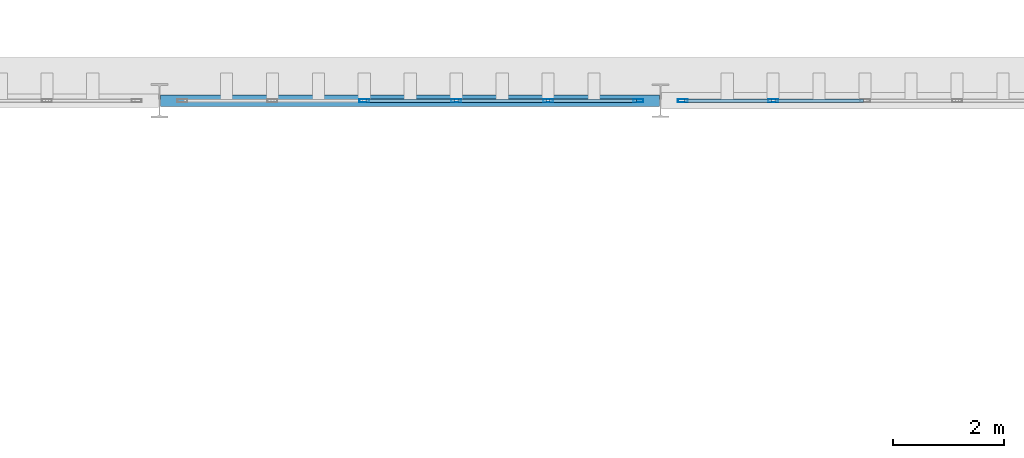
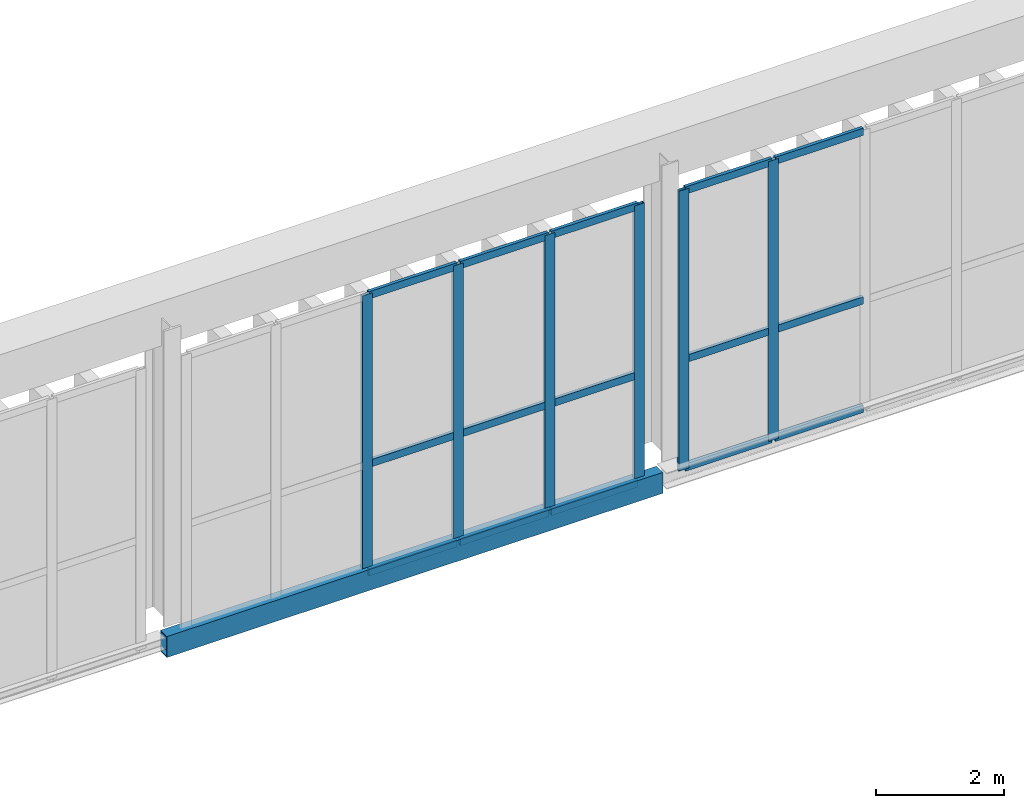
# One storey, part 176 of 237: 21 members, 1 beam, 2 elements without a shape of their own.
"""IFC4 building model written with IfcOpenShell, lengths in metres."""

from ifc_helpers import new_model, si_unit, direction, frame, origin, origin_2d, place, context, subcontext, project, spatial, hollow_rectangle, extrude, material, layer, layer_set, material_profile, profile_set, type_object, element, aggregate, save


model = new_model("IFC4")

# Units and contexts
model_context = context("Model", 3, precision=1e-05, world=origin(), true_north=direction((0.0, 1.0)))
body_context = subcontext(model_context, "Body", "Model", "MODEL_VIEW")
ifc_project = project(units=[si_unit("LENGTHUNIT", "METRE"), si_unit("AREAUNIT", "SQUARE_METRE"), si_unit("VOLUMEUNIT", "CUBIC_METRE"), si_unit("PLANEANGLEUNIT", "RADIAN"), si_unit("MASSUNIT", "GRAM", prefix="KILO")], contexts=[model_context])

# Site, building, storey
site_placement = place(None, origin())
site = spatial("IfcSite", under=ifc_project, at=site_placement, CompositionType="ELEMENT")
building_placement = place(site_placement, origin())
building = spatial("IfcBuilding", under=site, at=building_placement, Name="Barlavento Convention Centre", CompositionType="ELEMENT")
storey_placement = place(building_placement, frame((0.0, 0.0, 12.0)))
storey = spatial("IfcBuildingStorey", under=building, at=storey_placement, Name="L02", CompositionType="ELEMENT", Elevation=12.0)

# Curtain wall, members
ifc_material_1 = material(Name="Powder-coated aluminium and Low-E glass", Category="aluminium")
ifc_layer = layer(ifc_material_1, 0.18505859375)
ifc_layer_set = layer_set([ifc_layer], Name="ARC-CW-EXH-L02")
curtain_wall_type = type_object("IfcCurtainWallType", Name="ARC-CW-EXH-L02", PredefinedType="NOTDEFINED", material=ifc_layer_set)
curtain_wall_1_placement = place(storey_placement, origin())
curtain_wall_1 = element("IfcCurtainWall", 1, at=curtain_wall_1_placement, inside=storey, type_object=curtain_wall_type, Name="L02 unitised curtain wall CW05", PredefinedType="NOTDEFINED")
ifc_material_2 = material(Name="Powder-coated aluminium", Category="aluminium")
ifc_material_profile_1 = material_profile(ifc_material_2, hollow_rectangle(XDim=0.06005859375, YDim=0.179931640625, WallThickness=0.0048828125, at=origin_2d()), Name="AL-MULL 60x180x5")
ifc_profile_set_1 = profile_set([ifc_material_profile_1], Name="Powder-coated aluminium")
member_type_1 = type_object("IfcMemberType", Name="ARC-CWM-60X180", PredefinedType="MULLION", material=ifc_profile_set_1)
member_1_placement = place(storey_placement, frame((93.679931640625, 135.0, -0.5), z_axis=(0.0, 0.0, 1.0), x_axis=(0.0, 1.0, 0.0)))
member_1 = element("IfcMember", 2, at=member_1_placement, type_object=member_type_1, Name="CW05 mullion 3", PredefinedType="MULLION", context=body_context, shape_type="SweptSolid", body=[
    extrude(hollow_rectangle(XDim=0.06005859375, YDim=0.179931640625, WallThickness=0.0048828125, at=origin_2d()), origin(), (0.0, 0.0, 1.0), 5.35009765625),
])
member_2_placement = place(storey_placement, frame((95.330078125, 135.0, -0.5), z_axis=(0.0, 0.0, 1.0), x_axis=(0.0, 1.0, 0.0)))
member_2 = element("IfcMember", 3, at=member_2_placement, type_object=member_type_1, Name="CW05 mullion 4", PredefinedType="MULLION", context=body_context, shape_type="SweptSolid", body=[
    extrude(hollow_rectangle(XDim=0.06005859375, YDim=0.179931640625, WallThickness=0.0048828125, at=origin_2d()), origin(), (0.0, 0.0, 1.0), 5.35009765625),
])
member_3_placement = place(storey_placement, frame((96.97998046875, 135.0, -0.5), z_axis=(0.0, 0.0, 1.0), x_axis=(0.0, 1.0, 0.0)))
member_3 = element("IfcMember", 4, at=member_3_placement, type_object=member_type_1, Name="CW05 mullion 5", PredefinedType="MULLION", context=body_context, shape_type="SweptSolid", body=[
    extrude(hollow_rectangle(XDim=0.06005859375, YDim=0.179931640625, WallThickness=0.0048828125, at=origin_2d()), origin(), (0.0, 0.0, 1.0), 5.35009765625),
])
member_4_placement = place(storey_placement, frame((98.60009765625, 135.0, -0.5), z_axis=(0.0, 0.0, 1.0), x_axis=(0.0, 1.0, 0.0)))
member_4 = element("IfcMember", 5, at=member_4_placement, type_object=member_type_1, Name="CW05 mullion 6", PredefinedType="MULLION", context=body_context, shape_type="SweptSolid", body=[
    extrude(hollow_rectangle(XDim=0.06005859375, YDim=0.179931640625, WallThickness=0.0048828125, at=origin_2d()), origin(), (0.0, 0.0, 1.0), 5.35009765625),
])

curtain_wall_2_placement = place(storey_placement, origin())
curtain_wall_2 = element("IfcCurtainWall", 6, at=curtain_wall_2_placement, inside=storey, type_object=curtain_wall_type, Name="L02 unitised curtain wall CW05", PredefinedType="NOTDEFINED")
member_5_placement = place(storey_placement, frame((99.39990234375, 135.0, -0.5), z_axis=(0.0, 0.0, 1.0), x_axis=(0.0, 1.0, 0.0)))
member_5 = element("IfcMember", 7, at=member_5_placement, type_object=member_type_1, Name="CW05 mullion 1", PredefinedType="MULLION", context=body_context, shape_type="SweptSolid", body=[
    extrude(hollow_rectangle(XDim=0.06005859375, YDim=0.179931640625, WallThickness=0.0048828125, at=origin_2d()), origin(), (0.0, 0.0, 1.0), 5.35009765625),
])
member_6_placement = place(storey_placement, frame((101.02197265625, 135.0, -0.5), z_axis=(0.0, 0.0, 1.0), x_axis=(0.0, 1.0, 0.0)))
member_6 = element("IfcMember", 8, at=member_6_placement, type_object=member_type_1, Name="CW05 mullion 2", PredefinedType="MULLION", context=body_context, shape_type="SweptSolid", body=[
    extrude(hollow_rectangle(XDim=0.06005859375, YDim=0.179931640625, WallThickness=0.0048828125, at=origin_2d()), origin(), (0.0, 0.0, 1.0), 5.35009765625),
])

# Member
ifc_material_profile_2 = material_profile(ifc_material_2, hollow_rectangle(XDim=0.06005859375, YDim=0.139892578125, WallThickness=0.00390625, at=origin_2d()), Name="AL-TRAN 60x140x4")
ifc_profile_set_2 = profile_set([ifc_material_profile_2], Name="Powder-coated aluminium")
member_type_2 = type_object("IfcMemberType", Name="ARC-CWT-60X140", PredefinedType="USERDEFINED", material=ifc_profile_set_2)
member_7_placement = place(storey_placement, frame((93.7099609375, 135.0, -0.469970703125), z_axis=(1.0, 0.0, 0.0), x_axis=(0.0, 1.0, 0.0)))
member_7 = element("IfcMember", 9, at=member_7_placement, type_object=member_type_2, Name="CW05 transom 3.1", ObjectType="TRANSOM", PredefinedType="USERDEFINED", context=body_context, shape_type="SweptSolid", body=[
    extrude(hollow_rectangle(XDim=0.06005859375, YDim=0.139892578125, WallThickness=0.00390625, at=origin_2d()), origin(), (0.0, 0.0, 1.0), 1.590087890625),
])

member_8_placement = place(storey_placement, frame((93.7099609375, 135.0, 1.60009765625), z_axis=(1.0, 0.0, 0.0), x_axis=(0.0, 1.0, 0.0)))
member_8 = element("IfcMember", 10, at=member_8_placement, type_object=member_type_2, Name="CW05 transom 3.2", ObjectType="TRANSOM", PredefinedType="USERDEFINED", context=body_context, shape_type="SweptSolid", body=[
    extrude(hollow_rectangle(XDim=0.06005859375, YDim=0.139892578125, WallThickness=0.00390625, at=origin_2d()), origin(), (0.0, 0.0, 1.0), 1.590087890625),
])

member_9_placement = place(storey_placement, frame((93.7099609375, 135.0, 4.820068359375), z_axis=(1.0, 0.0, 0.0), x_axis=(0.0, 1.0, 0.0)))
member_9 = element("IfcMember", 11, at=member_9_placement, type_object=member_type_2, Name="CW05 transom 3.3", ObjectType="TRANSOM", PredefinedType="USERDEFINED", context=body_context, shape_type="SweptSolid", body=[
    extrude(hollow_rectangle(XDim=0.06005859375, YDim=0.139892578125, WallThickness=0.00390625, at=origin_2d()), origin(), (0.0, 0.0, 1.0), 1.590087890625),
])

member_10_placement = place(storey_placement, frame((95.360107421875, 135.0, -0.469970703125), z_axis=(1.0, 0.0, 0.0), x_axis=(0.0, 1.0, 0.0)))
member_10 = element("IfcMember", 12, at=member_10_placement, type_object=member_type_2, Name="CW05 transom 4.1", ObjectType="TRANSOM", PredefinedType="USERDEFINED", context=body_context, shape_type="SweptSolid", body=[
    extrude(hollow_rectangle(XDim=0.06005859375, YDim=0.139892578125, WallThickness=0.00390625, at=origin_2d()), origin(), (0.0, 0.0, 1.0), 1.58984375),
])

member_11_placement = place(storey_placement, frame((95.360107421875, 135.0, 1.60009765625), z_axis=(1.0, 0.0, 0.0), x_axis=(0.0, 1.0, 0.0)))
member_11 = element("IfcMember", 13, at=member_11_placement, type_object=member_type_2, Name="CW05 transom 4.2", ObjectType="TRANSOM", PredefinedType="USERDEFINED", context=body_context, shape_type="SweptSolid", body=[
    extrude(hollow_rectangle(XDim=0.06005859375, YDim=0.139892578125, WallThickness=0.00390625, at=origin_2d()), origin(), (0.0, 0.0, 1.0), 1.58984375),
])

member_12_placement = place(storey_placement, frame((95.360107421875, 135.0, 4.820068359375), z_axis=(1.0, 0.0, 0.0), x_axis=(0.0, 1.0, 0.0)))
member_12 = element("IfcMember", 14, at=member_12_placement, type_object=member_type_2, Name="CW05 transom 4.3", ObjectType="TRANSOM", PredefinedType="USERDEFINED", context=body_context, shape_type="SweptSolid", body=[
    extrude(hollow_rectangle(XDim=0.06005859375, YDim=0.139892578125, WallThickness=0.00390625, at=origin_2d()), origin(), (0.0, 0.0, 1.0), 1.58984375),
])

member_13_placement = place(storey_placement, frame((97.010009765625, 135.0, -0.469970703125), z_axis=(1.0, 0.0, 0.0), x_axis=(0.0, 1.0, 0.0)))
member_13 = element("IfcMember", 15, at=member_13_placement, type_object=member_type_2, Name="CW05 transom 5.1", ObjectType="TRANSOM", PredefinedType="USERDEFINED", context=body_context, shape_type="SweptSolid", body=[
    extrude(hollow_rectangle(XDim=0.06005859375, YDim=0.139892578125, WallThickness=0.00390625, at=origin_2d()), origin(), (0.0, 0.0, 1.0), 1.56005859375),
])

member_14_placement = place(storey_placement, frame((97.010009765625, 135.0, 1.60009765625), z_axis=(1.0, 0.0, 0.0), x_axis=(0.0, 1.0, 0.0)))
member_14 = element("IfcMember", 16, at=member_14_placement, type_object=member_type_2, Name="CW05 transom 5.2", ObjectType="TRANSOM", PredefinedType="USERDEFINED", context=body_context, shape_type="SweptSolid", body=[
    extrude(hollow_rectangle(XDim=0.06005859375, YDim=0.139892578125, WallThickness=0.00390625, at=origin_2d()), origin(), (0.0, 0.0, 1.0), 1.56005859375),
])

member_15_placement = place(storey_placement, frame((97.010009765625, 135.0, 4.820068359375), z_axis=(1.0, 0.0, 0.0), x_axis=(0.0, 1.0, 0.0)))
member_15 = element("IfcMember", 17, at=member_15_placement, type_object=member_type_2, Name="CW05 transom 5.3", ObjectType="TRANSOM", PredefinedType="USERDEFINED", context=body_context, shape_type="SweptSolid", body=[
    extrude(hollow_rectangle(XDim=0.06005859375, YDim=0.139892578125, WallThickness=0.00390625, at=origin_2d()), origin(), (0.0, 0.0, 1.0), 1.56005859375),
])

aggregate(curtain_wall_1, [member_1, member_2, member_3, member_4, member_7, member_8, member_9, member_10, member_11, member_12, member_13, member_14, member_15])

member_16_placement = place(storey_placement, frame((99.429931640625, 135.0, -0.469970703125), z_axis=(1.0, 0.0, 0.0), x_axis=(0.0, 1.0, 0.0)))
member_16 = element("IfcMember", 18, at=member_16_placement, type_object=member_type_2, Name="CW05 transom 1.1", ObjectType="TRANSOM", PredefinedType="USERDEFINED", context=body_context, shape_type="SweptSolid", body=[
    extrude(hollow_rectangle(XDim=0.06005859375, YDim=0.139892578125, WallThickness=0.00390625, at=origin_2d()), origin(), (0.0, 0.0, 1.0), 1.56201171875),
])

member_17_placement = place(storey_placement, frame((99.429931640625, 135.0, 1.60009765625), z_axis=(1.0, 0.0, 0.0), x_axis=(0.0, 1.0, 0.0)))
member_17 = element("IfcMember", 19, at=member_17_placement, type_object=member_type_2, Name="CW05 transom 1.2", ObjectType="TRANSOM", PredefinedType="USERDEFINED", context=body_context, shape_type="SweptSolid", body=[
    extrude(hollow_rectangle(XDim=0.06005859375, YDim=0.139892578125, WallThickness=0.00390625, at=origin_2d()), origin(), (0.0, 0.0, 1.0), 1.56201171875),
])

member_18_placement = place(storey_placement, frame((99.429931640625, 135.0, 4.820068359375), z_axis=(1.0, 0.0, 0.0), x_axis=(0.0, 1.0, 0.0)))
member_18 = element("IfcMember", 20, at=member_18_placement, type_object=member_type_2, Name="CW05 transom 1.3", ObjectType="TRANSOM", PredefinedType="USERDEFINED", context=body_context, shape_type="SweptSolid", body=[
    extrude(hollow_rectangle(XDim=0.06005859375, YDim=0.139892578125, WallThickness=0.00390625, at=origin_2d()), origin(), (0.0, 0.0, 1.0), 1.56201171875),
])

member_19_placement = place(storey_placement, frame((101.052001953125, 135.0, -0.469970703125), z_axis=(1.0, 0.0, 0.0), x_axis=(0.0, 1.0, 0.0)))
member_19 = element("IfcMember", 21, at=member_19_placement, type_object=member_type_2, Name="CW05 transom 2.1", ObjectType="TRANSOM", PredefinedType="USERDEFINED", context=body_context, shape_type="SweptSolid", body=[
    extrude(hollow_rectangle(XDim=0.06005859375, YDim=0.139892578125, WallThickness=0.00390625, at=origin_2d()), origin(), (0.0, 0.0, 1.0), 1.592041015625),
])

member_20_placement = place(storey_placement, frame((101.052001953125, 135.0, 1.60009765625), z_axis=(1.0, 0.0, 0.0), x_axis=(0.0, 1.0, 0.0)))
member_20 = element("IfcMember", 22, at=member_20_placement, type_object=member_type_2, Name="CW05 transom 2.2", ObjectType="TRANSOM", PredefinedType="USERDEFINED", context=body_context, shape_type="SweptSolid", body=[
    extrude(hollow_rectangle(XDim=0.06005859375, YDim=0.139892578125, WallThickness=0.00390625, at=origin_2d()), origin(), (0.0, 0.0, 1.0), 1.592041015625),
])

member_21_placement = place(storey_placement, frame((101.052001953125, 135.0, 4.820068359375), z_axis=(1.0, 0.0, 0.0), x_axis=(0.0, 1.0, 0.0)))
member_21 = element("IfcMember", 23, at=member_21_placement, type_object=member_type_2, Name="CW05 transom 2.3", ObjectType="TRANSOM", PredefinedType="USERDEFINED", context=body_context, shape_type="SweptSolid", body=[
    extrude(hollow_rectangle(XDim=0.06005859375, YDim=0.139892578125, WallThickness=0.00390625, at=origin_2d()), origin(), (0.0, 0.0, 1.0), 1.592041015625),
])

aggregate(curtain_wall_2, [member_5, member_6, member_16, member_17, member_18, member_19, member_20, member_21])

# Beam
ifc_material_3 = material(Name="Steel S355", Category="steel")
ifc_material_profile_3 = material_profile(ifc_material_3, hollow_rectangle(XDim=0.199951171875, YDim=0.39990234375, WallThickness=0.01611328125, at=origin_2d()), Name="RHS 400x200x16.0")
ifc_profile_set_3 = profile_set([ifc_material_profile_3], Name="Steel S355")
beam_type = type_object("IfcBeamType", Name="STR-BM-SPN-RHS400", PredefinedType="SPANDREL", material=ifc_profile_set_3)
beam_placement = place(storey_placement, frame((90.02001953125, 135.0, -0.56005859375), z_axis=(1.0, 0.0, 0.0), x_axis=(0.0, 1.0, 0.0)))
element("IfcBeam", 24, at=beam_placement, inside=storey, type_object=beam_type, Name="L02 primary girder SP06", PredefinedType="SPANDREL", context=body_context, shape_type="SweptSolid", body=[
    extrude(hollow_rectangle(XDim=0.199951171875, YDim=0.39990234375, WallThickness=0.01611328125, at=origin_2d()), origin(), (0.0, 0.0, 1.0), 8.9599609375),
])

save(model, "model.ifc")
